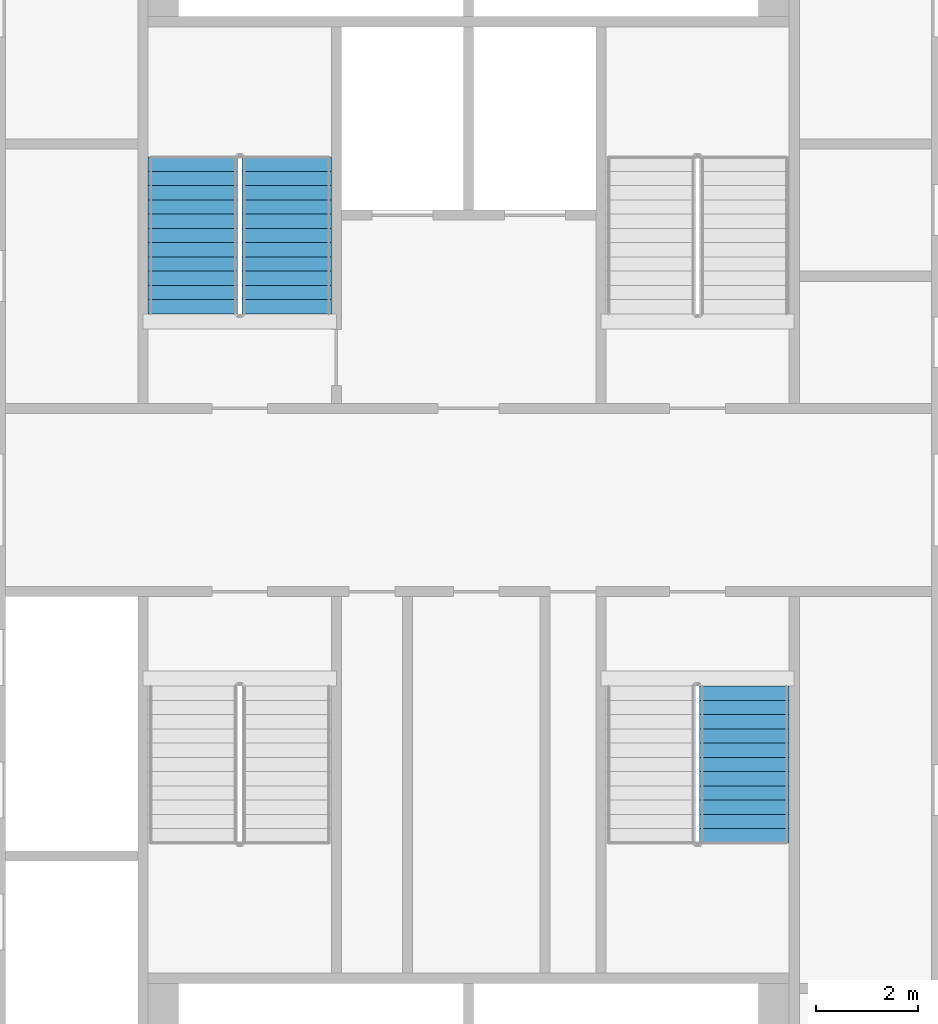
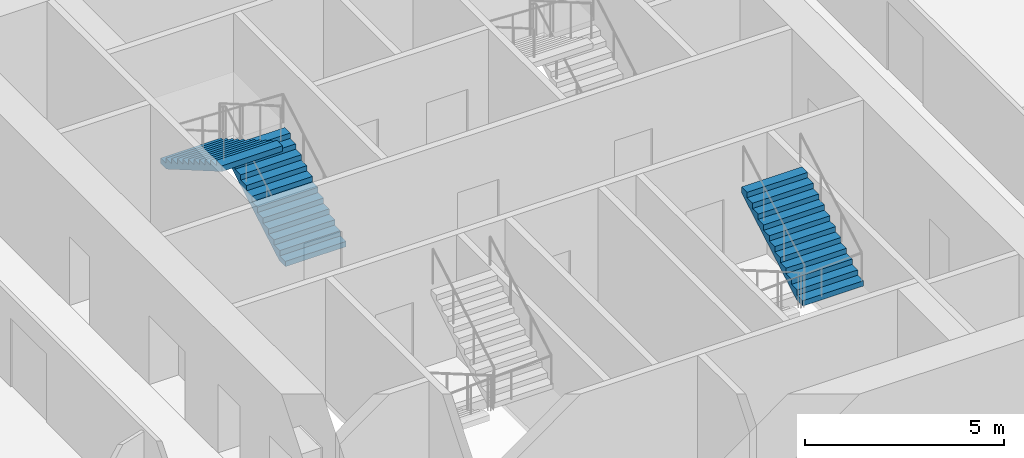
# One storey, part 15 of 21: 3 stair flights, 2 elements without a shape of their own.
"""IFC4 building model written with IfcOpenShell, lengths in metres."""

from ifc_helpers import new_model, si_unit, direction, frame, origin, place, context, subcontext, project, spatial, faceted_brep, material, type_object, element, aggregate, save


model = new_model("IFC4")

# Units and contexts
model_context = context("Model", 3, precision=1e-05, world=origin(), true_north=direction((0.0, 1.0)))
body_context = subcontext(model_context, "Body", "Model", "MODEL_VIEW")
ifc_project = project(units=[si_unit("LENGTHUNIT", "METRE"), si_unit("AREAUNIT", "SQUARE_METRE"), si_unit("VOLUMEUNIT", "CUBIC_METRE"), si_unit("PLANEANGLEUNIT", "RADIAN"), si_unit("MASSUNIT", "GRAM", prefix="KILO")], contexts=[model_context])

# Site, building, storey
site_placement = place(None, origin())
site = spatial("IfcSite", under=ifc_project, at=site_placement, CompositionType="ELEMENT")
building_placement = place(site_placement, origin())
building = spatial("IfcBuilding", under=site, at=building_placement, Name="Tarsis Ring Headquarters", CompositionType="ELEMENT")
storey_placement = place(building_placement, frame((0.0, 0.0, 47.800048828125)))
storey = spatial("IfcBuildingStorey", under=building, at=storey_placement, Name="L09", CompositionType="ELEMENT", Elevation=47.800048828125)

# Stair, stair flights
ifc_material_1 = material(Name="Core stair 1760")
stair_type = type_object("IfcStairType", Name="Core stair 1760", PredefinedType="HALF_TURN_STAIR", material=ifc_material_1)
stair_1_placement = place(storey_placement, origin())
stair_1 = element("IfcStair", 1, at=stair_1_placement, inside=storey, type_object=stair_type, Name="L09 Firefighting stair", PredefinedType="HALF_TURN_STAIR")
ifc_material_2 = material(Name="Concrete C40/50", Category="concrete")
stair_flight_type = type_object("IfcStairFlightType", Name="Core stair flight 1760", PredefinedType="STRAIGHT", material=ifc_material_2)
stair_flight_1_placement = place(storey_placement, frame((-3.580078125, 3.659912109375, 0.0), z_axis=(0.0, 0.0, 1.0), x_axis=(0.0, 1.0, 0.0)))
stair_flight_1 = element("IfcStairFlight", 2, at=stair_flight_1_placement, type_object=stair_flight_type, Name="Stair ST1 flight 1", NumberOfRisers=12, NumberOfTreads=11, PredefinedType="STRAIGHT", RiserHeight=0.1625, TreadLength=0.28, context=body_context, shape_type="Brep", body=[
    faceted_brep([(0.0, 0.8798828125, 0.0), (0.0, 0.8798828125, 0.16259765625), (0.280029296875, 0.8798828125, 0.16259765625), (0.280029296875, 0.8798828125, 0.324951171875), (0.56005859375, 0.8798828125, 0.324951171875), (0.56005859375, 0.8798828125, 0.487548828125), (0.840087890625, 0.8798828125, 0.487548828125), (0.840087890625, 0.8798828125, 0.64990234375), (1.1201171875, 0.8798828125, 0.64990234375), (1.1201171875, 0.8798828125, 0.8125), (1.39990234375, 0.8798828125, 0.8125), (1.39990234375, 0.8798828125, 0.97509765625), (1.679931640625, 0.8798828125, 0.97509765625), (1.679931640625, 0.8798828125, 1.137451171875), (1.9599609375, 0.8798828125, 1.137451171875), (1.9599609375, 0.8798828125, 1.300048828125), (2.239990234375, 0.8798828125, 1.300048828125), (2.239990234375, 0.8798828125, 1.46240234375), (2.52001953125, 0.8798828125, 1.46240234375), (2.52001953125, 0.8798828125, 1.625), (2.800048828125, 0.8798828125, 1.625), (2.800048828125, 0.8798828125, 1.78759765625), (3.080078125, 0.8798828125, 1.78759765625), (3.080078125, 0.8798828125, 1.6142578125), (0.298583984375, 0.8798828125, 0.0), (0.298583984375, -0.8798828125, 0.0), (3.080078125, -0.8798828125, 1.6142578125), (3.080078125, -0.8798828125, 1.78759765625), (2.800048828125, -0.8798828125, 1.78759765625), (2.800048828125, -0.8798828125, 1.625), (2.52001953125, -0.8798828125, 1.625), (2.52001953125, -0.8798828125, 1.46240234375), (2.239990234375, -0.8798828125, 1.46240234375), (2.239990234375, -0.8798828125, 1.300048828125), (1.9599609375, -0.8798828125, 1.300048828125), (1.9599609375, -0.8798828125, 1.137451171875), (1.679931640625, -0.8798828125, 1.137451171875), (1.679931640625, -0.8798828125, 0.97509765625), (1.39990234375, -0.8798828125, 0.97509765625), (1.39990234375, -0.8798828125, 0.8125), (1.1201171875, -0.8798828125, 0.8125), (1.1201171875, -0.8798828125, 0.64990234375), (0.840087890625, -0.8798828125, 0.64990234375), (0.840087890625, -0.8798828125, 0.487548828125), (0.56005859375, -0.8798828125, 0.487548828125), (0.56005859375, -0.8798828125, 0.324951171875), (0.280029296875, -0.8798828125, 0.324951171875), (0.280029296875, -0.8798828125, 0.16259765625), (0.0, -0.8798828125, 0.16259765625), (0.0, -0.8798828125, 0.0), (0.0, -0.43994140625, 0.16259765625), (0.0, -0.43994140625, 0.0), (0.0, 0.0, 0.16259765625), (0.0, 0.0, 0.0), (0.0, 0.43994140625, 0.16259765625), (0.0, 0.43994140625, 0.0), (0.280029296875, -0.43994140625, 0.16259765625), (0.280029296875, 0.0, 0.16259765625), (0.280029296875, 0.43994140625, 0.16259765625), (0.280029296875, -0.43994140625, 0.324951171875), (0.280029296875, 0.0, 0.324951171875), (0.280029296875, 0.43994140625, 0.324951171875), (0.56005859375, -0.43994140625, 0.324951171875), (0.56005859375, 0.0, 0.324951171875), (0.56005859375, 0.43994140625, 0.324951171875), (0.56005859375, -0.43994140625, 0.487548828125), (0.56005859375, 0.0, 0.487548828125), (0.56005859375, 0.43994140625, 0.487548828125), (0.840087890625, -0.43994140625, 0.487548828125), (0.840087890625, 0.0, 0.487548828125), (0.840087890625, 0.43994140625, 0.487548828125), (0.840087890625, -0.43994140625, 0.64990234375), (0.840087890625, 0.0, 0.64990234375), (0.840087890625, 0.43994140625, 0.64990234375), (1.1201171875, -0.43994140625, 0.64990234375), (1.1201171875, 0.0, 0.64990234375), (1.1201171875, 0.43994140625, 0.64990234375), (1.1201171875, -0.43994140625, 0.8125), (1.1201171875, 0.0, 0.8125), (1.1201171875, 0.43994140625, 0.8125), (1.39990234375, -0.43994140625, 0.8125), (1.39990234375, 0.0, 0.8125), (1.39990234375, 0.43994140625, 0.8125), (1.39990234375, -0.43994140625, 0.97509765625), (1.39990234375, 0.0, 0.97509765625), (1.39990234375, 0.43994140625, 0.97509765625), (1.679931640625, -0.43994140625, 0.97509765625), (1.679931640625, 0.0, 0.97509765625), (1.679931640625, 0.43994140625, 0.97509765625), (1.679931640625, -0.43994140625, 1.137451171875), (1.679931640625, 0.0, 1.137451171875), (1.679931640625, 0.43994140625, 1.137451171875), (1.9599609375, -0.43994140625, 1.137451171875), (1.9599609375, 0.0, 1.137451171875), (1.9599609375, 0.43994140625, 1.137451171875), (1.9599609375, -0.43994140625, 1.300048828125), (1.9599609375, 0.0, 1.300048828125), (1.9599609375, 0.43994140625, 1.300048828125), (2.239990234375, -0.43994140625, 1.300048828125), (2.239990234375, 0.0, 1.300048828125), (2.239990234375, 0.43994140625, 1.300048828125), (2.239990234375, -0.43994140625, 1.46240234375), (2.239990234375, 0.0, 1.46240234375), (2.239990234375, 0.43994140625, 1.46240234375), (2.52001953125, -0.43994140625, 1.46240234375), (2.52001953125, 0.0, 1.46240234375), (2.52001953125, 0.43994140625, 1.46240234375), (2.52001953125, -0.43994140625, 1.625), (2.52001953125, 0.0, 1.625), (2.52001953125, 0.43994140625, 1.625), (2.800048828125, -0.43994140625, 1.625), (2.800048828125, 0.0, 1.625), (2.800048828125, 0.43994140625, 1.625), (2.800048828125, -0.43994140625, 1.78759765625), (2.800048828125, 0.0, 1.78759765625), (2.800048828125, 0.43994140625, 1.78759765625), (3.080078125, -0.43994140625, 1.78759765625), (3.080078125, 0.0, 1.78759765625), (3.080078125, 0.43994140625, 1.78759765625), (3.080078125, -0.43994140625, 1.6142578125), (3.080078125, 0.0, 1.6142578125), (3.080078125, 0.43994140625, 1.6142578125), (0.298583984375, -0.43994140625, 0.0), (0.298583984375, 0.0, 0.0), (0.298583984375, 0.43994140625, 0.0)], [[[0, 1, 2, 3, 4, 5, 6, 7, 8, 9, 10, 11, 12, 13, 14, 15, 16, 17, 18, 19, 20, 21, 22, 23, 24]], [[25, 26, 27, 28, 29, 30, 31, 32, 33, 34, 35, 36, 37, 38, 39, 40, 41, 42, 43, 44, 45, 46, 47, 48, 49]], [[49, 48, 50, 51]], [[51, 50, 52, 53]], [[53, 52, 54, 55]], [[55, 54, 1, 0]], [[48, 47, 56, 50]], [[50, 56, 57, 52]], [[52, 57, 58, 54]], [[54, 58, 2, 1]], [[47, 46, 59, 56]], [[56, 59, 60, 57]], [[57, 60, 61, 58]], [[58, 61, 3, 2]], [[46, 45, 62, 59]], [[59, 62, 63, 60]], [[60, 63, 64, 61]], [[61, 64, 4, 3]], [[45, 44, 65, 62]], [[62, 65, 66, 63]], [[63, 66, 67, 64]], [[64, 67, 5, 4]], [[44, 43, 68, 65]], [[65, 68, 69, 66]], [[66, 69, 70, 67]], [[67, 70, 6, 5]], [[43, 42, 71, 68]], [[68, 71, 72, 69]], [[69, 72, 73, 70]], [[70, 73, 7, 6]], [[42, 41, 74, 71]], [[71, 74, 75, 72]], [[72, 75, 76, 73]], [[73, 76, 8, 7]], [[41, 40, 77, 74]], [[74, 77, 78, 75]], [[75, 78, 79, 76]], [[76, 79, 9, 8]], [[40, 39, 80, 77]], [[77, 80, 81, 78]], [[78, 81, 82, 79]], [[79, 82, 10, 9]], [[39, 38, 83, 80]], [[80, 83, 84, 81]], [[81, 84, 85, 82]], [[82, 85, 11, 10]], [[38, 37, 86, 83]], [[83, 86, 87, 84]], [[84, 87, 88, 85]], [[85, 88, 12, 11]], [[37, 36, 89, 86]], [[86, 89, 90, 87]], [[87, 90, 91, 88]], [[88, 91, 13, 12]], [[36, 35, 92, 89]], [[89, 92, 93, 90]], [[90, 93, 94, 91]], [[91, 94, 14, 13]], [[35, 34, 95, 92]], [[92, 95, 96, 93]], [[93, 96, 97, 94]], [[94, 97, 15, 14]], [[34, 33, 98, 95]], [[95, 98, 99, 96]], [[96, 99, 100, 97]], [[97, 100, 16, 15]], [[33, 32, 101, 98]], [[98, 101, 102, 99]], [[99, 102, 103, 100]], [[100, 103, 17, 16]], [[32, 31, 104, 101]], [[101, 104, 105, 102]], [[102, 105, 106, 103]], [[103, 106, 18, 17]], [[31, 30, 107, 104]], [[104, 107, 108, 105]], [[105, 108, 109, 106]], [[106, 109, 19, 18]], [[30, 29, 110, 107]], [[107, 110, 111, 108]], [[108, 111, 112, 109]], [[109, 112, 20, 19]], [[29, 28, 113, 110]], [[110, 113, 114, 111]], [[111, 114, 115, 112]], [[112, 115, 21, 20]], [[28, 27, 116, 113]], [[113, 116, 117, 114]], [[114, 117, 118, 115]], [[115, 118, 22, 21]], [[27, 26, 119, 116]], [[116, 119, 120, 117]], [[117, 120, 121, 118]], [[118, 121, 23, 22]], [[26, 25, 122, 119]], [[119, 122, 123, 120]], [[120, 123, 124, 121]], [[121, 124, 24, 23]], [[25, 49, 51, 122]], [[122, 51, 53, 123]], [[123, 53, 55, 124]], [[124, 55, 0, 24]]]),
])
stair_flight_2_placement = place(storey_placement, frame((-5.419921875, 6.739990234375, 1.949951171875), z_axis=(0.0, 0.0, 1.0), x_axis=(0.0, -1.0, 0.0)))
stair_flight_2 = element("IfcStairFlight", 3, at=stair_flight_2_placement, type_object=stair_flight_type, Name="Stair ST1 flight 2", NumberOfRisers=12, NumberOfTreads=11, PredefinedType="STRAIGHT", RiserHeight=0.1625, TreadLength=0.28, context=body_context, shape_type="Brep", body=[
    faceted_brep([(0.0, 0.8798828125, 0.0), (0.0, 0.8798828125, 0.16259765625), (0.280029296875, 0.8798828125, 0.16259765625), (0.280029296875, 0.8798828125, 0.324951171875), (0.56005859375, 0.8798828125, 0.324951171875), (0.56005859375, 0.8798828125, 0.487548828125), (0.840087890625, 0.8798828125, 0.487548828125), (0.840087890625, 0.8798828125, 0.64990234375), (1.1201171875, 0.8798828125, 0.64990234375), (1.1201171875, 0.8798828125, 0.8125), (1.39990234375, 0.8798828125, 0.8125), (1.39990234375, 0.8798828125, 0.97509765625), (1.679931640625, 0.8798828125, 0.97509765625), (1.679931640625, 0.8798828125, 1.137451171875), (1.9599609375, 0.8798828125, 1.137451171875), (1.9599609375, 0.8798828125, 1.300048828125), (2.239990234375, 0.8798828125, 1.300048828125), (2.239990234375, 0.8798828125, 1.46240234375), (2.52001953125, 0.8798828125, 1.46240234375), (2.52001953125, 0.8798828125, 1.625), (2.800048828125, 0.8798828125, 1.625), (2.800048828125, 0.8798828125, 1.78759765625), (3.080078125, 0.8798828125, 1.78759765625), (3.080078125, 0.8798828125, 1.6142578125), (0.298583984375, 0.8798828125, 0.0), (0.298583984375, -0.8798828125, 0.0), (3.080078125, -0.8798828125, 1.6142578125), (3.080078125, -0.8798828125, 1.78759765625), (2.800048828125, -0.8798828125, 1.78759765625), (2.800048828125, -0.8798828125, 1.625), (2.52001953125, -0.8798828125, 1.625), (2.52001953125, -0.8798828125, 1.46240234375), (2.239990234375, -0.8798828125, 1.46240234375), (2.239990234375, -0.8798828125, 1.300048828125), (1.9599609375, -0.8798828125, 1.300048828125), (1.9599609375, -0.8798828125, 1.137451171875), (1.679931640625, -0.8798828125, 1.137451171875), (1.679931640625, -0.8798828125, 0.97509765625), (1.39990234375, -0.8798828125, 0.97509765625), (1.39990234375, -0.8798828125, 0.8125), (1.1201171875, -0.8798828125, 0.8125), (1.1201171875, -0.8798828125, 0.64990234375), (0.840087890625, -0.8798828125, 0.64990234375), (0.840087890625, -0.8798828125, 0.487548828125), (0.56005859375, -0.8798828125, 0.487548828125), (0.56005859375, -0.8798828125, 0.324951171875), (0.280029296875, -0.8798828125, 0.324951171875), (0.280029296875, -0.8798828125, 0.16259765625), (0.0, -0.8798828125, 0.16259765625), (0.0, -0.8798828125, 0.0), (0.0, -0.43994140625, 0.16259765625), (0.0, -0.43994140625, 0.0), (0.0, 0.0, 0.16259765625), (0.0, 0.0, 0.0), (0.0, 0.43994140625, 0.16259765625), (0.0, 0.43994140625, 0.0), (0.280029296875, -0.43994140625, 0.16259765625), (0.280029296875, 0.0, 0.16259765625), (0.280029296875, 0.43994140625, 0.16259765625), (0.280029296875, -0.43994140625, 0.324951171875), (0.280029296875, 0.0, 0.324951171875), (0.280029296875, 0.43994140625, 0.324951171875), (0.56005859375, -0.43994140625, 0.324951171875), (0.56005859375, 0.0, 0.324951171875), (0.56005859375, 0.43994140625, 0.324951171875), (0.56005859375, -0.43994140625, 0.487548828125), (0.56005859375, 0.0, 0.487548828125), (0.56005859375, 0.43994140625, 0.487548828125), (0.840087890625, -0.43994140625, 0.487548828125), (0.840087890625, 0.0, 0.487548828125), (0.840087890625, 0.43994140625, 0.487548828125), (0.840087890625, -0.43994140625, 0.64990234375), (0.840087890625, 0.0, 0.64990234375), (0.840087890625, 0.43994140625, 0.64990234375), (1.1201171875, -0.43994140625, 0.64990234375), (1.1201171875, 0.0, 0.64990234375), (1.1201171875, 0.43994140625, 0.64990234375), (1.1201171875, -0.43994140625, 0.8125), (1.1201171875, 0.0, 0.8125), (1.1201171875, 0.43994140625, 0.8125), (1.39990234375, -0.43994140625, 0.8125), (1.39990234375, 0.0, 0.8125), (1.39990234375, 0.43994140625, 0.8125), (1.39990234375, -0.43994140625, 0.97509765625), (1.39990234375, 0.0, 0.97509765625), (1.39990234375, 0.43994140625, 0.97509765625), (1.679931640625, -0.43994140625, 0.97509765625), (1.679931640625, 0.0, 0.97509765625), (1.679931640625, 0.43994140625, 0.97509765625), (1.679931640625, -0.43994140625, 1.137451171875), (1.679931640625, 0.0, 1.137451171875), (1.679931640625, 0.43994140625, 1.137451171875), (1.9599609375, -0.43994140625, 1.137451171875), (1.9599609375, 0.0, 1.137451171875), (1.9599609375, 0.43994140625, 1.137451171875), (1.9599609375, -0.43994140625, 1.300048828125), (1.9599609375, 0.0, 1.300048828125), (1.9599609375, 0.43994140625, 1.300048828125), (2.239990234375, -0.43994140625, 1.300048828125), (2.239990234375, 0.0, 1.300048828125), (2.239990234375, 0.43994140625, 1.300048828125), (2.239990234375, -0.43994140625, 1.46240234375), (2.239990234375, 0.0, 1.46240234375), (2.239990234375, 0.43994140625, 1.46240234375), (2.52001953125, -0.43994140625, 1.46240234375), (2.52001953125, 0.0, 1.46240234375), (2.52001953125, 0.43994140625, 1.46240234375), (2.52001953125, -0.43994140625, 1.625), (2.52001953125, 0.0, 1.625), (2.52001953125, 0.43994140625, 1.625), (2.800048828125, -0.43994140625, 1.625), (2.800048828125, 0.0, 1.625), (2.800048828125, 0.43994140625, 1.625), (2.800048828125, -0.43994140625, 1.78759765625), (2.800048828125, 0.0, 1.78759765625), (2.800048828125, 0.43994140625, 1.78759765625), (3.080078125, -0.43994140625, 1.78759765625), (3.080078125, 0.0, 1.78759765625), (3.080078125, 0.43994140625, 1.78759765625), (3.080078125, -0.43994140625, 1.6142578125), (3.080078125, 0.0, 1.6142578125), (3.080078125, 0.43994140625, 1.6142578125), (0.298583984375, -0.43994140625, 0.0), (0.298583984375, 0.0, 0.0), (0.298583984375, 0.43994140625, 0.0)], [[[0, 1, 2, 3, 4, 5, 6, 7, 8, 9, 10, 11, 12, 13, 14, 15, 16, 17, 18, 19, 20, 21, 22, 23, 24]], [[25, 26, 27, 28, 29, 30, 31, 32, 33, 34, 35, 36, 37, 38, 39, 40, 41, 42, 43, 44, 45, 46, 47, 48, 49]], [[49, 48, 50, 51]], [[51, 50, 52, 53]], [[53, 52, 54, 55]], [[55, 54, 1, 0]], [[48, 47, 56, 50]], [[50, 56, 57, 52]], [[52, 57, 58, 54]], [[54, 58, 2, 1]], [[47, 46, 59, 56]], [[56, 59, 60, 57]], [[57, 60, 61, 58]], [[58, 61, 3, 2]], [[46, 45, 62, 59]], [[59, 62, 63, 60]], [[60, 63, 64, 61]], [[61, 64, 4, 3]], [[45, 44, 65, 62]], [[62, 65, 66, 63]], [[63, 66, 67, 64]], [[64, 67, 5, 4]], [[44, 43, 68, 65]], [[65, 68, 69, 66]], [[66, 69, 70, 67]], [[67, 70, 6, 5]], [[43, 42, 71, 68]], [[68, 71, 72, 69]], [[69, 72, 73, 70]], [[70, 73, 7, 6]], [[42, 41, 74, 71]], [[71, 74, 75, 72]], [[72, 75, 76, 73]], [[73, 76, 8, 7]], [[41, 40, 77, 74]], [[74, 77, 78, 75]], [[75, 78, 79, 76]], [[76, 79, 9, 8]], [[40, 39, 80, 77]], [[77, 80, 81, 78]], [[78, 81, 82, 79]], [[79, 82, 10, 9]], [[39, 38, 83, 80]], [[80, 83, 84, 81]], [[81, 84, 85, 82]], [[82, 85, 11, 10]], [[38, 37, 86, 83]], [[83, 86, 87, 84]], [[84, 87, 88, 85]], [[85, 88, 12, 11]], [[37, 36, 89, 86]], [[86, 89, 90, 87]], [[87, 90, 91, 88]], [[88, 91, 13, 12]], [[36, 35, 92, 89]], [[89, 92, 93, 90]], [[90, 93, 94, 91]], [[91, 94, 14, 13]], [[35, 34, 95, 92]], [[92, 95, 96, 93]], [[93, 96, 97, 94]], [[94, 97, 15, 14]], [[34, 33, 98, 95]], [[95, 98, 99, 96]], [[96, 99, 100, 97]], [[97, 100, 16, 15]], [[33, 32, 101, 98]], [[98, 101, 102, 99]], [[99, 102, 103, 100]], [[100, 103, 17, 16]], [[32, 31, 104, 101]], [[101, 104, 105, 102]], [[102, 105, 106, 103]], [[103, 106, 18, 17]], [[31, 30, 107, 104]], [[104, 107, 108, 105]], [[105, 108, 109, 106]], [[106, 109, 19, 18]], [[30, 29, 110, 107]], [[107, 110, 111, 108]], [[108, 111, 112, 109]], [[109, 112, 20, 19]], [[29, 28, 113, 110]], [[110, 113, 114, 111]], [[111, 114, 115, 112]], [[112, 115, 21, 20]], [[28, 27, 116, 113]], [[113, 116, 117, 114]], [[114, 117, 118, 115]], [[115, 118, 22, 21]], [[27, 26, 119, 116]], [[116, 119, 120, 117]], [[117, 120, 121, 118]], [[118, 121, 23, 22]], [[26, 25, 122, 119]], [[119, 122, 123, 120]], [[120, 123, 124, 121]], [[121, 124, 24, 23]], [[25, 49, 51, 122]], [[122, 51, 53, 123]], [[123, 53, 55, 124]], [[124, 55, 0, 24]]]),
])
aggregate(stair_1, [stair_flight_1, stair_flight_2])

# Stair, stair flight
stair_2_placement = place(storey_placement, origin())
stair_2 = element("IfcStair", 4, at=stair_2_placement, inside=storey, type_object=stair_type, Name="L09 Exit stair D", PredefinedType="HALF_TURN_STAIR")
stair_flight_3_placement = place(storey_placement, frame((5.419921875, -6.739990234375, 1.949951171875), z_axis=(0.0, 0.0, 1.0), x_axis=(0.0, 1.0, 0.0)))
stair_flight_3 = element("IfcStairFlight", 5, at=stair_flight_3_placement, type_object=stair_flight_type, Name="Stair ST4 flight 2", NumberOfRisers=12, NumberOfTreads=11, PredefinedType="STRAIGHT", RiserHeight=0.1625, TreadLength=0.28, context=body_context, shape_type="Brep", body=[
    faceted_brep([(0.0, 0.8798828125, 0.0), (0.0, 0.8798828125, 0.16259765625), (0.280029296875, 0.8798828125, 0.16259765625), (0.280029296875, 0.8798828125, 0.324951171875), (0.56005859375, 0.8798828125, 0.324951171875), (0.56005859375, 0.8798828125, 0.487548828125), (0.840087890625, 0.8798828125, 0.487548828125), (0.840087890625, 0.8798828125, 0.64990234375), (1.1201171875, 0.8798828125, 0.64990234375), (1.1201171875, 0.8798828125, 0.8125), (1.39990234375, 0.8798828125, 0.8125), (1.39990234375, 0.8798828125, 0.97509765625), (1.679931640625, 0.8798828125, 0.97509765625), (1.679931640625, 0.8798828125, 1.137451171875), (1.9599609375, 0.8798828125, 1.137451171875), (1.9599609375, 0.8798828125, 1.300048828125), (2.239990234375, 0.8798828125, 1.300048828125), (2.239990234375, 0.8798828125, 1.46240234375), (2.52001953125, 0.8798828125, 1.46240234375), (2.52001953125, 0.8798828125, 1.625), (2.800048828125, 0.8798828125, 1.625), (2.800048828125, 0.8798828125, 1.78759765625), (3.080078125, 0.8798828125, 1.78759765625), (3.080078125, 0.8798828125, 1.6142578125), (0.298583984375, 0.8798828125, 0.0), (0.298583984375, -0.8798828125, 0.0), (3.080078125, -0.8798828125, 1.6142578125), (3.080078125, -0.8798828125, 1.78759765625), (2.800048828125, -0.8798828125, 1.78759765625), (2.800048828125, -0.8798828125, 1.625), (2.52001953125, -0.8798828125, 1.625), (2.52001953125, -0.8798828125, 1.46240234375), (2.239990234375, -0.8798828125, 1.46240234375), (2.239990234375, -0.8798828125, 1.300048828125), (1.9599609375, -0.8798828125, 1.300048828125), (1.9599609375, -0.8798828125, 1.137451171875), (1.679931640625, -0.8798828125, 1.137451171875), (1.679931640625, -0.8798828125, 0.97509765625), (1.39990234375, -0.8798828125, 0.97509765625), (1.39990234375, -0.8798828125, 0.8125), (1.1201171875, -0.8798828125, 0.8125), (1.1201171875, -0.8798828125, 0.64990234375), (0.840087890625, -0.8798828125, 0.64990234375), (0.840087890625, -0.8798828125, 0.487548828125), (0.56005859375, -0.8798828125, 0.487548828125), (0.56005859375, -0.8798828125, 0.324951171875), (0.280029296875, -0.8798828125, 0.324951171875), (0.280029296875, -0.8798828125, 0.16259765625), (0.0, -0.8798828125, 0.16259765625), (0.0, -0.8798828125, 0.0), (0.0, -0.43994140625, 0.16259765625), (0.0, -0.43994140625, 0.0), (0.0, 0.0, 0.16259765625), (0.0, 0.0, 0.0), (0.0, 0.43994140625, 0.16259765625), (0.0, 0.43994140625, 0.0), (0.280029296875, -0.43994140625, 0.16259765625), (0.280029296875, 0.0, 0.16259765625), (0.280029296875, 0.43994140625, 0.16259765625), (0.280029296875, -0.43994140625, 0.324951171875), (0.280029296875, 0.0, 0.324951171875), (0.280029296875, 0.43994140625, 0.324951171875), (0.56005859375, -0.43994140625, 0.324951171875), (0.56005859375, 0.0, 0.324951171875), (0.56005859375, 0.43994140625, 0.324951171875), (0.56005859375, -0.43994140625, 0.487548828125), (0.56005859375, 0.0, 0.487548828125), (0.56005859375, 0.43994140625, 0.487548828125), (0.840087890625, -0.43994140625, 0.487548828125), (0.840087890625, 0.0, 0.487548828125), (0.840087890625, 0.43994140625, 0.487548828125), (0.840087890625, -0.43994140625, 0.64990234375), (0.840087890625, 0.0, 0.64990234375), (0.840087890625, 0.43994140625, 0.64990234375), (1.1201171875, -0.43994140625, 0.64990234375), (1.1201171875, 0.0, 0.64990234375), (1.1201171875, 0.43994140625, 0.64990234375), (1.1201171875, -0.43994140625, 0.8125), (1.1201171875, 0.0, 0.8125), (1.1201171875, 0.43994140625, 0.8125), (1.39990234375, -0.43994140625, 0.8125), (1.39990234375, 0.0, 0.8125), (1.39990234375, 0.43994140625, 0.8125), (1.39990234375, -0.43994140625, 0.97509765625), (1.39990234375, 0.0, 0.97509765625), (1.39990234375, 0.43994140625, 0.97509765625), (1.679931640625, -0.43994140625, 0.97509765625), (1.679931640625, 0.0, 0.97509765625), (1.679931640625, 0.43994140625, 0.97509765625), (1.679931640625, -0.43994140625, 1.137451171875), (1.679931640625, 0.0, 1.137451171875), (1.679931640625, 0.43994140625, 1.137451171875), (1.9599609375, -0.43994140625, 1.137451171875), (1.9599609375, 0.0, 1.137451171875), (1.9599609375, 0.43994140625, 1.137451171875), (1.9599609375, -0.43994140625, 1.300048828125), (1.9599609375, 0.0, 1.300048828125), (1.9599609375, 0.43994140625, 1.300048828125), (2.239990234375, -0.43994140625, 1.300048828125), (2.239990234375, 0.0, 1.300048828125), (2.239990234375, 0.43994140625, 1.300048828125), (2.239990234375, -0.43994140625, 1.46240234375), (2.239990234375, 0.0, 1.46240234375), (2.239990234375, 0.43994140625, 1.46240234375), (2.52001953125, -0.43994140625, 1.46240234375), (2.52001953125, 0.0, 1.46240234375), (2.52001953125, 0.43994140625, 1.46240234375), (2.52001953125, -0.43994140625, 1.625), (2.52001953125, 0.0, 1.625), (2.52001953125, 0.43994140625, 1.625), (2.800048828125, -0.43994140625, 1.625), (2.800048828125, 0.0, 1.625), (2.800048828125, 0.43994140625, 1.625), (2.800048828125, -0.43994140625, 1.78759765625), (2.800048828125, 0.0, 1.78759765625), (2.800048828125, 0.43994140625, 1.78759765625), (3.080078125, -0.43994140625, 1.78759765625), (3.080078125, 0.0, 1.78759765625), (3.080078125, 0.43994140625, 1.78759765625), (3.080078125, -0.43994140625, 1.6142578125), (3.080078125, 0.0, 1.6142578125), (3.080078125, 0.43994140625, 1.6142578125), (0.298583984375, -0.43994140625, 0.0), (0.298583984375, 0.0, 0.0), (0.298583984375, 0.43994140625, 0.0)], [[[0, 1, 2, 3, 4, 5, 6, 7, 8, 9, 10, 11, 12, 13, 14, 15, 16, 17, 18, 19, 20, 21, 22, 23, 24]], [[25, 26, 27, 28, 29, 30, 31, 32, 33, 34, 35, 36, 37, 38, 39, 40, 41, 42, 43, 44, 45, 46, 47, 48, 49]], [[49, 48, 50, 51]], [[51, 50, 52, 53]], [[53, 52, 54, 55]], [[55, 54, 1, 0]], [[48, 47, 56, 50]], [[50, 56, 57, 52]], [[52, 57, 58, 54]], [[54, 58, 2, 1]], [[47, 46, 59, 56]], [[56, 59, 60, 57]], [[57, 60, 61, 58]], [[58, 61, 3, 2]], [[46, 45, 62, 59]], [[59, 62, 63, 60]], [[60, 63, 64, 61]], [[61, 64, 4, 3]], [[45, 44, 65, 62]], [[62, 65, 66, 63]], [[63, 66, 67, 64]], [[64, 67, 5, 4]], [[44, 43, 68, 65]], [[65, 68, 69, 66]], [[66, 69, 70, 67]], [[67, 70, 6, 5]], [[43, 42, 71, 68]], [[68, 71, 72, 69]], [[69, 72, 73, 70]], [[70, 73, 7, 6]], [[42, 41, 74, 71]], [[71, 74, 75, 72]], [[72, 75, 76, 73]], [[73, 76, 8, 7]], [[41, 40, 77, 74]], [[74, 77, 78, 75]], [[75, 78, 79, 76]], [[76, 79, 9, 8]], [[40, 39, 80, 77]], [[77, 80, 81, 78]], [[78, 81, 82, 79]], [[79, 82, 10, 9]], [[39, 38, 83, 80]], [[80, 83, 84, 81]], [[81, 84, 85, 82]], [[82, 85, 11, 10]], [[38, 37, 86, 83]], [[83, 86, 87, 84]], [[84, 87, 88, 85]], [[85, 88, 12, 11]], [[37, 36, 89, 86]], [[86, 89, 90, 87]], [[87, 90, 91, 88]], [[88, 91, 13, 12]], [[36, 35, 92, 89]], [[89, 92, 93, 90]], [[90, 93, 94, 91]], [[91, 94, 14, 13]], [[35, 34, 95, 92]], [[92, 95, 96, 93]], [[93, 96, 97, 94]], [[94, 97, 15, 14]], [[34, 33, 98, 95]], [[95, 98, 99, 96]], [[96, 99, 100, 97]], [[97, 100, 16, 15]], [[33, 32, 101, 98]], [[98, 101, 102, 99]], [[99, 102, 103, 100]], [[100, 103, 17, 16]], [[32, 31, 104, 101]], [[101, 104, 105, 102]], [[102, 105, 106, 103]], [[103, 106, 18, 17]], [[31, 30, 107, 104]], [[104, 107, 108, 105]], [[105, 108, 109, 106]], [[106, 109, 19, 18]], [[30, 29, 110, 107]], [[107, 110, 111, 108]], [[108, 111, 112, 109]], [[109, 112, 20, 19]], [[29, 28, 113, 110]], [[110, 113, 114, 111]], [[111, 114, 115, 112]], [[112, 115, 21, 20]], [[28, 27, 116, 113]], [[113, 116, 117, 114]], [[114, 117, 118, 115]], [[115, 118, 22, 21]], [[27, 26, 119, 116]], [[116, 119, 120, 117]], [[117, 120, 121, 118]], [[118, 121, 23, 22]], [[26, 25, 122, 119]], [[119, 122, 123, 120]], [[120, 123, 124, 121]], [[121, 124, 24, 23]], [[25, 49, 51, 122]], [[122, 51, 53, 123]], [[123, 53, 55, 124]], [[124, 55, 0, 24]]]),
])
aggregate(stair_2, [stair_flight_3])

save(model, "model.ifc")
